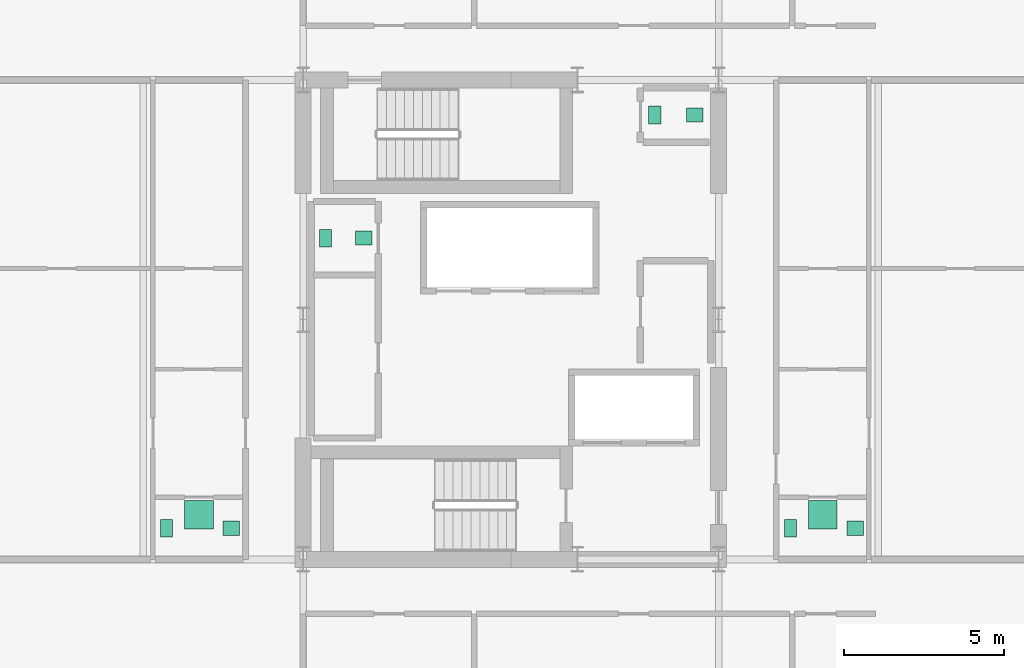
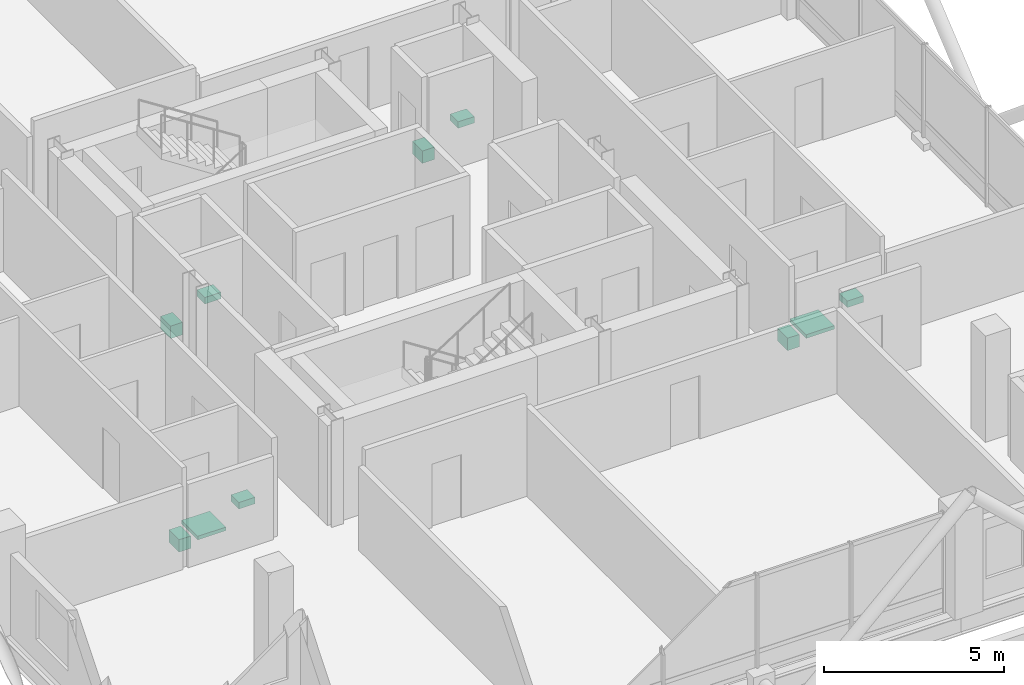
# One storey, part 24 of 24: 10 sanitary terminals.
"""IFC4 building model written with IfcOpenShell, lengths in metres."""

import ifcopenshell
import ifcopenshell.guid

model = None  # the IFC model being written
_history = None  # IfcOwnerHistory: only IFC2X3 demands one
_inside = {}  # id of a spatial element -> (the spatial element, [elements in it])
_under = {}  # id of a project, library or spatial element -> (it, [spatial elements below it])
_declared = {}  # id of a project -> (the project, [libraries it declares])
_typed = {}  # id of a type object -> (the type object, [elements of that type])
_made_of = {}  # id of a material, layer set ... -> (it, [elements and type objects made of it])


def new_model(schema):
    """Start an empty IFC model of exactly this schema.

    Asked for "IFC4X3", IfcOpenShell would pick the latest addendum, in which some entities
    have other attributes; the version numbers below select the first issue.
    IFC2X3 requires an IfcOwnerHistory on every rooted entity: one is made here for all.
    """
    global model, _history
    if schema == "IFC4X3":
        model = ifcopenshell.file(schema_version=(4, 3, 0, 0))
    else:
        model = ifcopenshell.file(schema=schema)
    _inside.clear()
    _under.clear()
    _declared.clear()
    _typed.clear()
    _made_of.clear()
    _history = None
    if model.schema == "IFC2X3":
        org = make("IfcOrganization", Name="unknown")
        user = make(
            "IfcPersonAndOrganization",
            ThePerson=make("IfcPerson", FamilyName="unknown"),
            TheOrganization=org,
        )
        app = make(
            "IfcApplication",
            ApplicationDeveloper=org,
            Version="unknown",
            ApplicationFullName="unknown",
            ApplicationIdentifier="unknown",
        )
        _history = make(
            "IfcOwnerHistory",
            OwningUser=user,
            OwningApplication=app,
            ChangeAction="ADDED",
            CreationDate=0,
        )
    return model


def make(cls, **values):
    """One entity of the class cls with the attributes given. An attribute that is None is left unset."""
    return model.create_entity(
        cls, **{name: value for name, value in values.items() if value is not None}
    )


def rooted(cls, **values):
    """An entity with a GlobalId (a new one), such as an element, a storey or a relation."""
    return make(cls, GlobalId=ifcopenshell.guid.new(), OwnerHistory=_history, **values)


def si_unit(unit_type, name, prefix=None):
    """IfcSIUnit, for example si_unit("LENGTHUNIT", "METRE", prefix="MILLI")."""
    return make("IfcSIUnit", UnitType=unit_type, Prefix=prefix, Name=name)


def assignment(units):
    """IfcUnitAssignment: the units of a project."""
    return None if units is None else make("IfcUnitAssignment", Units=units)


def point(xyz):
    """IfcCartesianPoint."""
    return None if xyz is None else make("IfcCartesianPoint", Coordinates=xyz)


def direction(xyz):
    """IfcDirection."""
    return None if xyz is None else make("IfcDirection", DirectionRatios=xyz)


def frame(location, z_axis=None, x_axis=None):
    """IfcAxis2Placement3D, a coordinate frame: its origin and axes. An axis left out is left unset."""
    return make(
        "IfcAxis2Placement3D",
        Location=point(location),
        Axis=direction(z_axis),
        RefDirection=direction(x_axis),
    )


def frame_2d(location, x_axis=None):
    """IfcAxis2Placement2D, a coordinate frame in the plane: its origin and x axis."""
    return make(
        "IfcAxis2Placement2D", Location=point(location), RefDirection=direction(x_axis)
    )


def origin():
    """The frame at (0, 0, 0) with its axes left unset."""
    return frame((0.0, 0.0, 0.0))


def origin_2d():
    """The frame at (0, 0) in the plane with its x axis left unset."""
    return frame_2d((0.0, 0.0))


def place(relative_to, where):
    """IfcLocalPlacement: puts the frame where relative to a parent placement (None: the world)."""
    return make(
        "IfcLocalPlacement", PlacementRelTo=relative_to, RelativePlacement=where
    )


def context(
    kind, dimensions, precision=None, world=None, true_north=None, identifier=None
):
    """IfcGeometricRepresentationContext, for example the 3D "Model" context."""
    return make(
        "IfcGeometricRepresentationContext",
        ContextIdentifier=identifier,
        ContextType=kind,
        CoordinateSpaceDimension=dimensions,
        Precision=precision,
        WorldCoordinateSystem=world,
        TrueNorth=true_north,
    )


def subcontext(parent, identifier, kind, view, scale=None):
    """IfcGeometricRepresentationSubContext, for example "Body" below "Model"."""
    return make(
        "IfcGeometricRepresentationSubContext",
        ContextIdentifier=identifier,
        ContextType=kind,
        ParentContext=parent,
        TargetScale=scale,
        TargetView=view,
    )


def project(units=None, contexts=None):
    """IfcProject with its units and contexts."""
    return rooted(
        "IfcProject",
        Name="project",
        RepresentationContexts=contexts,
        UnitsInContext=assignment(units),
    )


def spatial(cls, under=None, at=None, **own):
    """A site, building, storey or space (cls), placed at a placement, below another one or the project."""
    s = rooted(cls, ObjectPlacement=at, **own)
    if under is not None:
        _under.setdefault(under.id(), (under, []))[1].append(s)
    return s


def profile(cls, at=None, kind="AREA", **sizes):
    """A parametric profile (cls). Its sizes go by their IFC names, for example OverallWidth=200.0."""
    return make(cls, ProfileType=kind, Position=at, **sizes)


def rectangle(**sizes):
    """IfcRectangleProfileDef."""
    return profile("IfcRectangleProfileDef", **sizes)


def extrude(swept, where, along, depth):
    """IfcExtrudedAreaSolid: the profile swept, set in the frame where, extruded along a direction by depth."""
    return make(
        "IfcExtrudedAreaSolid",
        SweptArea=swept,
        Position=where,
        ExtrudedDirection=direction(along),
        Depth=depth,
    )


def shape(context_of_items, identifier, shape_type, items):
    """IfcShapeRepresentation: the items that make up one representation, for example the "Body"."""
    return make(
        "IfcShapeRepresentation",
        ContextOfItems=context_of_items,
        RepresentationIdentifier=identifier,
        RepresentationType=shape_type,
        Items=items,
    )


def material(Name=None, Category=None):
    """IfcMaterial."""
    return make("IfcMaterial", Name=Name, Category=Category)


def made_of(thing, what):
    """Note that an element or type object is made of a material, layer set ...; save() writes the relation."""
    if what is not None:
        _made_of.setdefault(what.id(), (what, []))[1].append(thing)
    return thing


def type_object(cls, material=None, **own):
    """A type object (cls), such as IfcWallType, which elements share."""
    return made_of(rooted(cls, **own), material)


def element(
    cls,
    number,
    at=None,
    inside=None,
    cuts=None,
    type_object=None,
    material=None,
    context=None,
    identifier="Body",
    shape_type=None,
    held_by="IfcProductDefinitionShape",
    body=None,
    shapes=None,
    **own,
):
    """One element of the class cls, such as IfcWall. Its Tag is "e" and its number.

    at: its placement. inside: the storey or other place that contains it. cuts: it is an
    opening in that element (IfcRelVoidsElement). A single representation is given by context,
    identifier, shape_type and body (its items); several are given by shapes. held_by: the class
    of the entity that holds the representations. save() writes the other relations.
    """
    e = rooted(cls, Tag="e%d" % number, ObjectPlacement=at, **own)
    if body is not None:
        shapes = [shape(context, identifier, shape_type, body)]
    if shapes is not None:
        e.Representation = make(held_by, Representations=shapes)
    if inside is not None:
        _inside.setdefault(inside.id(), (inside, []))[1].append(e)
    if cuts is not None:
        rooted(
            "IfcRelVoidsElement", RelatingBuildingElement=cuts, RelatedOpeningElement=e
        )
    if type_object is not None:
        _typed.setdefault(type_object.id(), (type_object, []))[1].append(e)
    return made_of(e, material)


def aggregate(whole, parts):
    """IfcRelAggregates: a whole, such as a stair, and the parts it consists of."""
    return rooted("IfcRelAggregates", RelatingObject=whole, RelatedObjects=parts)


def save(model, path):
    """Write the relations noted so far, then the file.

    IfcRelAggregates (storeys below a building ...), IfcRelContainedInSpatialStructure (elements
    in a storey), IfcRelDefinesByType, IfcRelAssociatesMaterial and IfcRelDeclares: one each for
    every whole, place, type object, material and project.
    """
    for whole, parts in _under.values():
        aggregate(whole, parts)
    for where, things in _inside.values():
        rooted(
            "IfcRelContainedInSpatialStructure",
            RelatedElements=things,
            RelatingStructure=where,
        )
    for kind, things in _typed.values():
        rooted("IfcRelDefinesByType", RelatedObjects=things, RelatingType=kind)
    for what, things in _made_of.values():
        rooted("IfcRelAssociatesMaterial", RelatedObjects=things, RelatingMaterial=what)
    for by, libraries in _declared.values():
        rooted("IfcRelDeclares", RelatingContext=by, RelatedDefinitions=libraries)
    model.write(path)


model = new_model("IFC4")

# Units and contexts
model_context = context("Model", 3, precision=1e-05, world=origin(), true_north=direction((0.0, 1.0)))
body_context = subcontext(model_context, "Body", "Model", "MODEL_VIEW")
ifc_project = project(units=[si_unit("LENGTHUNIT", "METRE"), si_unit("AREAUNIT", "SQUARE_METRE"), si_unit("VOLUMEUNIT", "CUBIC_METRE"), si_unit("PLANEANGLEUNIT", "RADIAN"), si_unit("MASSUNIT", "GRAM", prefix="KILO")], contexts=[model_context])

# Site, building, storey
site_placement = place(None, origin())
site = spatial("IfcSite", under=ifc_project, at=site_placement, CompositionType="ELEMENT")
building_placement = place(site_placement, origin())
building = spatial("IfcBuilding", under=site, at=building_placement, Name="Barlavira Tower and Art Museum", CompositionType="ELEMENT")
storey_placement = place(building_placement, frame((0.0, 0.0, 294.300048828125)))
storey = spatial("IfcBuildingStorey", under=building, at=storey_placement, Name="L77", CompositionType="ELEMENT", Elevation=294.300048828125)

# Sanitary terminals
ifc_material = material(Name="Vitreous glazed ceramic", Category="ceramic")
sanitary_terminal_type_1 = type_object("IfcSanitaryTerminalType", Name="Countertop Ceramic Wash Hand Basin", PredefinedType="WASHHANDBASIN", material=ifc_material)
for number, where, z_axis, x_axis, name in (
    (1, (-4.60009765625, 2.550048828125, 0.73974609375), (0.0, 0.0, 1.0), (1.0, 0.0, 0.0), "L77-C-REC1W Wash Basin"),
    (2, (5.75, 6.39990234375, 0.73974609375), (0.0, 0.0, 1.0), (1.0, 0.0, 0.0), "L77-C-AWC4 Wash Basin"),
    (3, (-8.75, -6.52490234375, 0.73974609375), (0.0, 0.0, 1.0), (1.0, 0.0, 0.0), "L77-W1-BTH1 Wash Basin"),
    (4, (10.77001953125, -6.52490234375, 0.73974609375), (0.0, 0.0, 1.0), (1.0, 0.0, 0.0), "L77-E1-BTH1 Wash Basin"),
):
    element("IfcSanitaryTerminal", number, at=place(storey_placement, frame(where, z_axis=z_axis, x_axis=x_axis)), inside=storey, type_object=sanitary_terminal_type_1, Name=name, PredefinedType="WASHHANDBASIN", context=body_context, shape_type="SweptSolid", body=[
        extrude(rectangle(XDim=0.52001953125, YDim=0.43994140625, at=origin_2d()), origin(), (0.0, 0.0, 1.0), 0.219970703125),
    ])
sanitary_terminal_type_2 = type_object("IfcSanitaryTerminalType", Name="Walk-In Thermostatic Rain Shower Unit", PredefinedType="SHOWER", material=ifc_material)
for number, where, z_axis, x_axis, name in (
    (5, (-9.760009765625, -6.10009765625, 0.0), (0.0, 0.0, 1.0), (1.0, 0.0, 0.0), "L77-W1-BTH1 Rain Shower"),
    (6, (9.760009765625, -6.10009765625, 0.0), (0.0, 0.0, 1.0), (1.0, 0.0, 0.0), "L77-E1-BTH1 Rain Shower"),
):
    element("IfcSanitaryTerminal", number, at=place(storey_placement, frame(where, z_axis=z_axis, x_axis=x_axis)), inside=storey, type_object=sanitary_terminal_type_2, Name=name, PredefinedType="SHOWER", context=body_context, shape_type="SweptSolid", body=[
        extrude(rectangle(XDim=0.89990234375, YDim=0.89990234375, at=origin_2d()), origin(), (0.0, 0.0, 1.0), 0.1201171875),
    ])
sanitary_terminal_type_3 = type_object("IfcSanitaryTerminalType", Name="Wall-Hung Dual-Flush Vitreous WC Pan", PredefinedType="TOILETPAN", material=ifc_material)
for number, where, z_axis, x_axis, name in (
    (7, (-5.800048828125, 2.550048828125, 0.0), (0.0, 0.0, 1.0), (1.0, 0.0, 0.0), "L77-C-REC1W WC Pan"),
    (8, (4.5, 6.39990234375, 0.0), (0.0, 0.0, 1.0), (1.0, 0.0, 0.0), "L77-C-AWC4 WC Pan"),
    (9, (-10.77001953125, -6.52490234375, 0.0), (0.0, 0.0, 1.0), (1.0, 0.0, 0.0), "L77-W1-BTH1 WC Pan"),
    (10, (8.75, -6.52490234375, 0.0), (0.0, 0.0, 1.0), (1.0, 0.0, 0.0), "L77-E1-BTH1 WC Pan"),
):
    element("IfcSanitaryTerminal", number, at=place(storey_placement, frame(where, z_axis=z_axis, x_axis=x_axis)), inside=storey, type_object=sanitary_terminal_type_3, Name=name, PredefinedType="TOILETPAN", context=body_context, shape_type="SweptSolid", body=[
        extrude(rectangle(XDim=0.3798828125, YDim=0.56005859375, at=origin_2d()), origin(), (0.0, 0.0, 1.0), 0.419921875),
    ])

save(model, "model.ifc")
